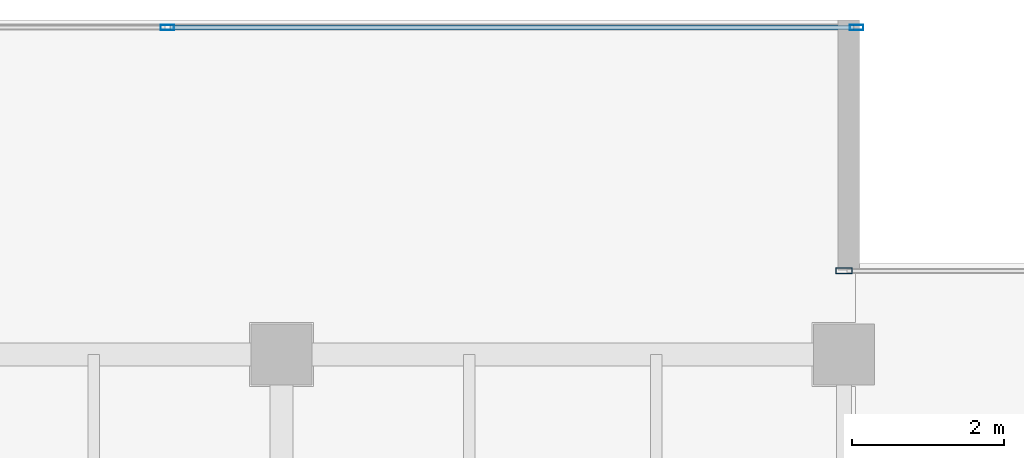
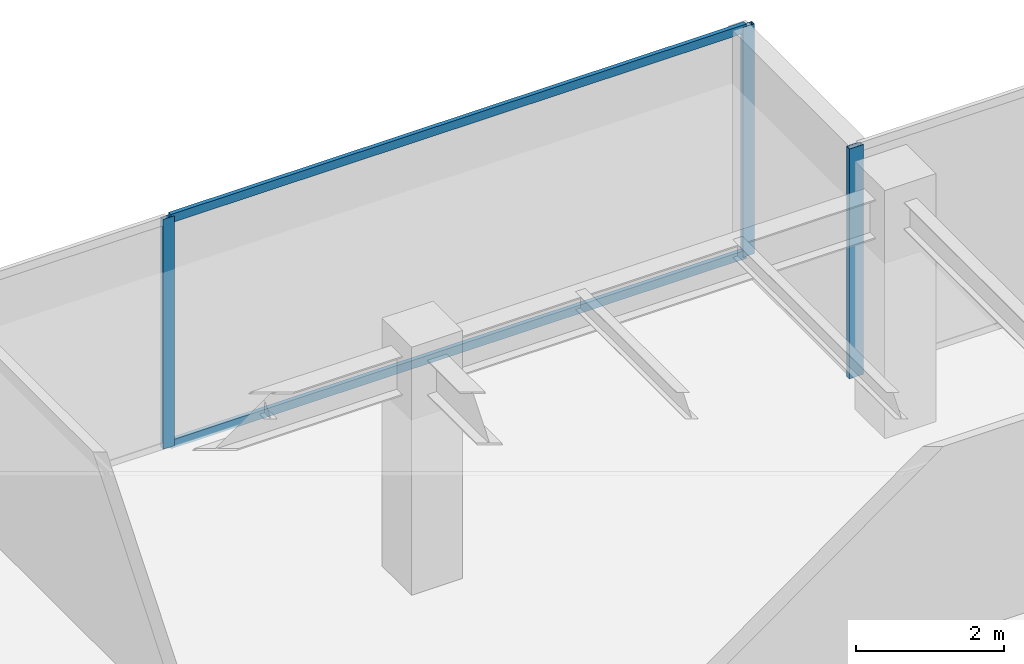
# One storey, part 21 of 35: 5 members, 2 elements without a shape of their own.
"""IFC4 building model written with IfcOpenShell, lengths in metres."""

from ifc_helpers import new_model, si_unit, direction, frame, origin, origin_2d, place, context, subcontext, project, spatial, hollow_rectangle, extrude, source, transform, mapped, material, layer, layer_set, material_profile, profile_set, type_object, type_shapes, element, aggregate, save


model = new_model("IFC4")

# Units and contexts
model_context = context("Model", 3, precision=1e-05, world=origin(), true_north=direction((0.0, 1.0)))
body_context = subcontext(model_context, "Body", "Model", "MODEL_VIEW")
ifc_project = project(units=[si_unit("LENGTHUNIT", "METRE"), si_unit("AREAUNIT", "SQUARE_METRE"), si_unit("VOLUMEUNIT", "CUBIC_METRE"), si_unit("PLANEANGLEUNIT", "RADIAN"), si_unit("MASSUNIT", "GRAM", prefix="KILO")], contexts=[model_context])

# Site, building, storey
site_placement = place(None, origin())
site = spatial("IfcSite", under=ifc_project, at=site_placement, CompositionType="ELEMENT")
building_placement = place(site_placement, origin())
building = spatial("IfcBuilding", under=site, at=building_placement, Name="Haelvirn Gate Laboratories", CompositionType="ELEMENT")
storey_placement = place(building_placement, frame((0.0, 0.0, 221.89990234375)))
storey = spatial("IfcBuildingStorey", under=building, at=storey_placement, Name="L53", CompositionType="ELEMENT", Elevation=221.89990234375)

# Curtain wall, members
ifc_material_1 = material(Name="Anodised bronze unitised aluminium & triple low-E glass", Category="aluminium")
ifc_layer_1 = layer(ifc_material_1, 0.176025390625, Name="CW-SYS-4")
ifc_layer_set_1 = layer_set([ifc_layer_1], Name="Anodised bronze unitised aluminium & triple low-E glass")
curtain_wall_type_1 = type_object("IfcCurtainWallType", Name="CW-SYS-4", PredefinedType="NOTDEFINED", material=ifc_layer_set_1)
curtain_wall_1_placement = place(storey_placement, origin())
curtain_wall_1 = element("IfcCurtainWall", 1, at=curtain_wall_1_placement, inside=storey, type_object=curtain_wall_type_1, Name="L53 Unitised Curtain Wall CW-L53-P0-E10-1", PredefinedType="NOTDEFINED")
ifc_material_2 = material(Name="Extruded aluminium 6063-T6 (anodised bronze)", Category="aluminium")
ifc_material_profile_1 = material_profile(ifc_material_2, hollow_rectangle(XDim=0.06494140625, YDim=0.139892578125, WallThickness=0.00390625, at=origin_2d()), Name="CWT-140x65x4")
ifc_profile_set_1 = profile_set([ifc_material_profile_1], Name="Extruded aluminium 6063-T6 (anodised bronze)")
member_type_1 = type_object("IfcMemberType", Name="CWT-T140", PredefinedType="USERDEFINED", material=ifc_profile_set_1)
shared_shape_1 = source(origin(), body_context, "Body", "SweptSolid", [
    extrude(hollow_rectangle(XDim=0.06494140625, YDim=0.139892578125, WallThickness=0.00390625, at=origin_2d()), origin(), (0.0, 0.0, 1.0), 8.9951171875),
])
type_shapes(member_type_1, [shared_shape_1])
member_1_placement = place(storey_placement, frame((58.534912109375, 45.89990234375, 0.03271484375), z_axis=(1.0, 0.0, 0.0), x_axis=(0.0, 1.0, 0.0)))
member_1 = element("IfcMember", 2, at=member_1_placement, type_object=member_type_1, Name="CW4 transom 2.1", ObjectType="TRANSOM", PredefinedType="USERDEFINED", context=body_context, shape_type="MappedRepresentation", body=[
    mapped(shared_shape_1, transform((0.0, 0.0, 0.0), scale=1.0)),
])
member_2_placement = place(storey_placement, frame((58.534912109375, 45.89990234375, 3.767578125), z_axis=(1.0, 0.0, 0.0), x_axis=(0.0, 1.0, 0.0)))
member_2 = element("IfcMember", 3, at=member_2_placement, type_object=member_type_1, Name="CW4 transom 2.2", ObjectType="TRANSOM", PredefinedType="USERDEFINED", context=body_context, shape_type="MappedRepresentation", body=[
    mapped(shared_shape_1, transform((0.0, 0.0, 0.0), scale=1.0)),
])
ifc_material_profile_2 = material_profile(ifc_material_2, hollow_rectangle(XDim=0.070068359375, YDim=0.179931640625, WallThickness=0.0048828125, at=origin_2d()), Name="CWM-180x70x5")
ifc_profile_set_2 = profile_set([ifc_material_profile_2], Name="Extruded aluminium 6063-T6 (anodised bronze)")
member_type_2 = type_object("IfcMemberType", Name="CWM-T180", PredefinedType="MULLION", material=ifc_profile_set_2)
shared_shape_2 = source(origin(), body_context, "Body", "SweptSolid", [
    extrude(hollow_rectangle(XDim=0.070068359375, YDim=0.179931640625, WallThickness=0.0048828125, at=origin_2d()), origin(), (0.0, 0.0, 1.0), 3.800048828125),
])
type_shapes(member_type_2, [shared_shape_2])
member_3_placement = place(storey_placement, frame((58.5, 45.89990234375, 0.0), z_axis=(0.0, 0.0, 1.0), x_axis=(0.0, 1.0, 0.0)))
member_3 = element("IfcMember", 4, at=member_3_placement, type_object=member_type_2, Name="CW4 mullion 2", PredefinedType="MULLION", context=body_context, shape_type="MappedRepresentation", body=[
    mapped(shared_shape_2, transform((0.0, 0.0, 0.0), scale=1.0)),
])
member_4_placement = place(storey_placement, frame((67.56494140625, 45.89990234375, 0.0), z_axis=(0.0, 0.0, 1.0), x_axis=(0.0, 1.0, 0.0)))
member_4 = element("IfcMember", 5, at=member_4_placement, type_object=member_type_2, Name="CW4 mullion 3", PredefinedType="MULLION", context=body_context, shape_type="MappedRepresentation", body=[
    mapped(shared_shape_2, transform((0.0, 0.0, 0.0), scale=1.0)),
])
aggregate(curtain_wall_1, [member_3, member_4, member_1, member_2])

# Curtain wall, member
ifc_layer_2 = layer(ifc_material_1, 0.181884765625, Name="CW-SYS-5")
ifc_layer_set_2 = layer_set([ifc_layer_2], Name="Anodised bronze unitised aluminium & triple low-E glass")
curtain_wall_type_2 = type_object("IfcCurtainWallType", Name="CW-SYS-5", PredefinedType="NOTDEFINED", material=ifc_layer_set_2)
curtain_wall_2_placement = place(storey_placement, origin())
curtain_wall_2 = element("IfcCurtainWall", 6, at=curtain_wall_2_placement, inside=storey, type_object=curtain_wall_type_2, Name="L53 Unitised Curtain Wall CW-L53-P0-E08-1", PredefinedType="NOTDEFINED")
ifc_material_profile_3 = material_profile(ifc_material_2, hollow_rectangle(XDim=0.080078125, YDim=0.219970703125, WallThickness=0.006103515625, at=origin_2d()), Name="CWM-220x80x6")
ifc_profile_set_3 = profile_set([ifc_material_profile_3], Name="Extruded aluminium 6063-T6 (anodised bronze)")
member_type_3 = type_object("IfcMemberType", Name="CWM-T220", PredefinedType="MULLION", material=ifc_profile_set_3)
shared_shape_3 = source(origin(), body_context, "Body", "SweptSolid", [
    extrude(hollow_rectangle(XDim=0.080078125, YDim=0.219970703125, WallThickness=0.006103515625, at=origin_2d()), origin(), (0.0, 0.0, 1.0), 3.800048828125),
])
type_shapes(member_type_3, [shared_shape_3])
member_5_placement = place(storey_placement, frame((67.39990234375, 42.699951171875, 0.0), z_axis=(0.0, 0.0, 1.0), x_axis=(0.0, 1.0, 0.0)))
member_5 = element("IfcMember", 7, at=member_5_placement, type_object=member_type_3, Name="CW5 mullion 1", PredefinedType="MULLION", context=body_context, shape_type="MappedRepresentation", body=[
    mapped(shared_shape_3, transform((0.0, 0.0, 0.0), scale=1.0)),
])
aggregate(curtain_wall_2, [member_5])

save(model, "model.ifc")
